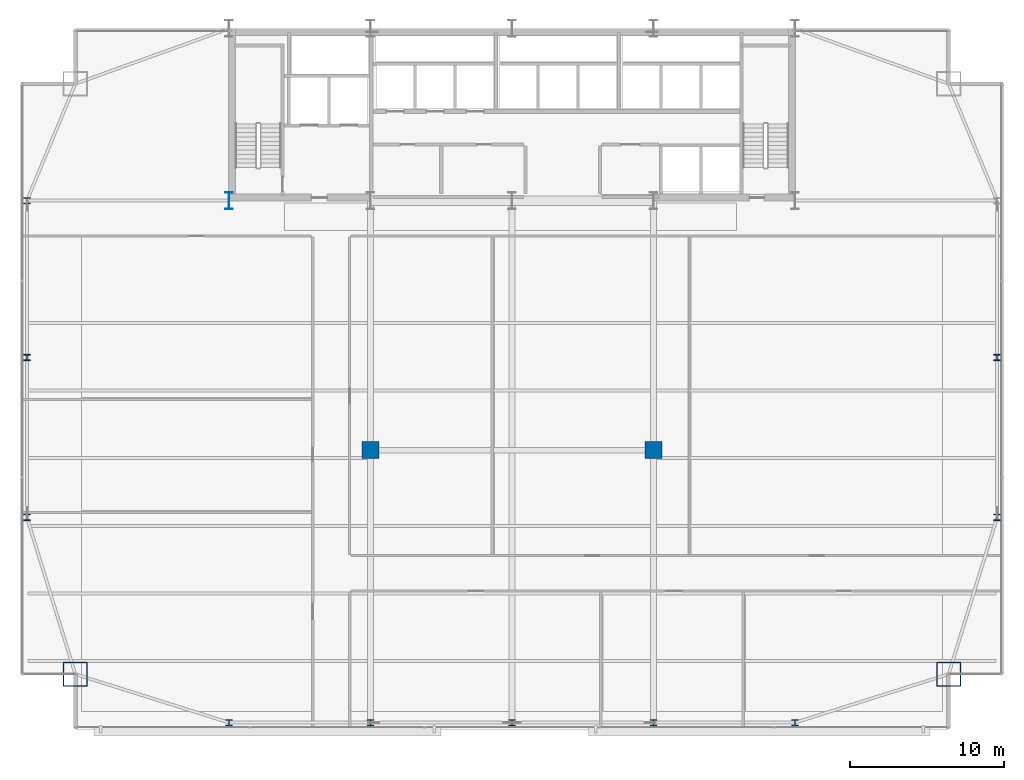
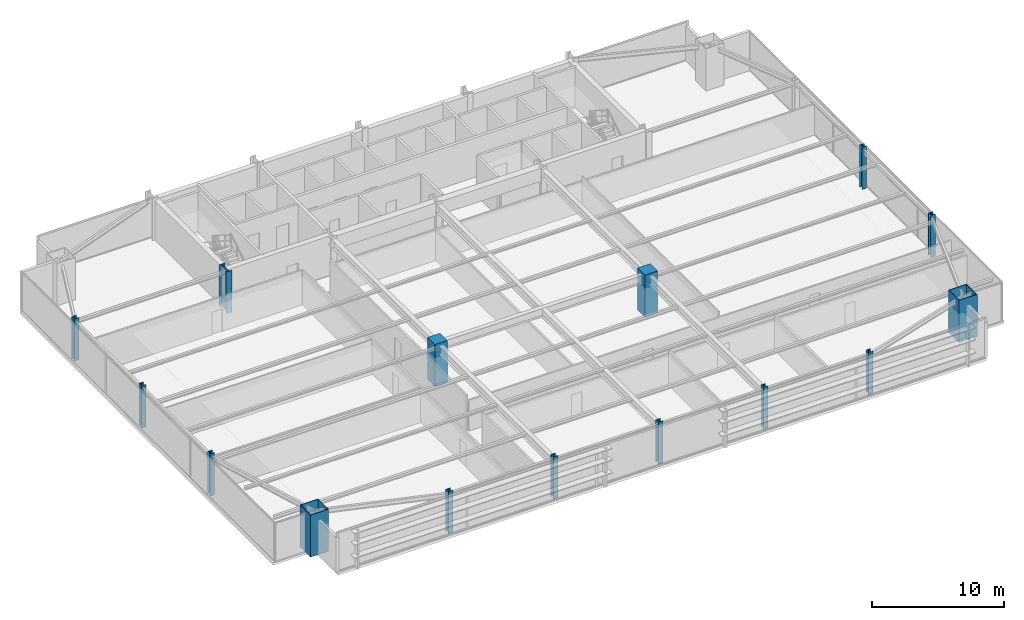
# One storey, part 1 of 32: 15 columns.
"""IFC4 building model written with IfcOpenShell, lengths in metres."""

import ifcopenshell
import ifcopenshell.guid

model = None  # the IFC model being written
_history = None  # IfcOwnerHistory: only IFC2X3 demands one
_inside = {}  # id of a spatial element -> (the spatial element, [elements in it])
_under = {}  # id of a project, library or spatial element -> (it, [spatial elements below it])
_declared = {}  # id of a project -> (the project, [libraries it declares])
_typed = {}  # id of a type object -> (the type object, [elements of that type])
_made_of = {}  # id of a material, layer set ... -> (it, [elements and type objects made of it])


def new_model(schema):
    """Start an empty IFC model of exactly this schema.

    Asked for "IFC4X3", IfcOpenShell would pick the latest addendum, in which some entities
    have other attributes; the version numbers below select the first issue.
    IFC2X3 requires an IfcOwnerHistory on every rooted entity: one is made here for all.
    """
    global model, _history
    if schema == "IFC4X3":
        model = ifcopenshell.file(schema_version=(4, 3, 0, 0))
    else:
        model = ifcopenshell.file(schema=schema)
    _inside.clear()
    _under.clear()
    _declared.clear()
    _typed.clear()
    _made_of.clear()
    _history = None
    if model.schema == "IFC2X3":
        org = make("IfcOrganization", Name="unknown")
        user = make(
            "IfcPersonAndOrganization",
            ThePerson=make("IfcPerson", FamilyName="unknown"),
            TheOrganization=org,
        )
        app = make(
            "IfcApplication",
            ApplicationDeveloper=org,
            Version="unknown",
            ApplicationFullName="unknown",
            ApplicationIdentifier="unknown",
        )
        _history = make(
            "IfcOwnerHistory",
            OwningUser=user,
            OwningApplication=app,
            ChangeAction="ADDED",
            CreationDate=0,
        )
    return model


def make(cls, **values):
    """One entity of the class cls with the attributes given. An attribute that is None is left unset."""
    return model.create_entity(
        cls, **{name: value for name, value in values.items() if value is not None}
    )


def rooted(cls, **values):
    """An entity with a GlobalId (a new one), such as an element, a storey or a relation."""
    return make(cls, GlobalId=ifcopenshell.guid.new(), OwnerHistory=_history, **values)


def si_unit(unit_type, name, prefix=None):
    """IfcSIUnit, for example si_unit("LENGTHUNIT", "METRE", prefix="MILLI")."""
    return make("IfcSIUnit", UnitType=unit_type, Prefix=prefix, Name=name)


def assignment(units):
    """IfcUnitAssignment: the units of a project."""
    return None if units is None else make("IfcUnitAssignment", Units=units)


def point(xyz):
    """IfcCartesianPoint."""
    return None if xyz is None else make("IfcCartesianPoint", Coordinates=xyz)


def direction(xyz):
    """IfcDirection."""
    return None if xyz is None else make("IfcDirection", DirectionRatios=xyz)


def frame(location, z_axis=None, x_axis=None):
    """IfcAxis2Placement3D, a coordinate frame: its origin and axes. An axis left out is left unset."""
    return make(
        "IfcAxis2Placement3D",
        Location=point(location),
        Axis=direction(z_axis),
        RefDirection=direction(x_axis),
    )


def frame_2d(location, x_axis=None):
    """IfcAxis2Placement2D, a coordinate frame in the plane: its origin and x axis."""
    return make(
        "IfcAxis2Placement2D", Location=point(location), RefDirection=direction(x_axis)
    )


def origin():
    """The frame at (0, 0, 0) with its axes left unset."""
    return frame((0.0, 0.0, 0.0))


def origin_2d():
    """The frame at (0, 0) in the plane with its x axis left unset."""
    return frame_2d((0.0, 0.0))


def place(relative_to, where):
    """IfcLocalPlacement: puts the frame where relative to a parent placement (None: the world)."""
    return make(
        "IfcLocalPlacement", PlacementRelTo=relative_to, RelativePlacement=where
    )


def context(
    kind, dimensions, precision=None, world=None, true_north=None, identifier=None
):
    """IfcGeometricRepresentationContext, for example the 3D "Model" context."""
    return make(
        "IfcGeometricRepresentationContext",
        ContextIdentifier=identifier,
        ContextType=kind,
        CoordinateSpaceDimension=dimensions,
        Precision=precision,
        WorldCoordinateSystem=world,
        TrueNorth=true_north,
    )


def subcontext(parent, identifier, kind, view, scale=None):
    """IfcGeometricRepresentationSubContext, for example "Body" below "Model"."""
    return make(
        "IfcGeometricRepresentationSubContext",
        ContextIdentifier=identifier,
        ContextType=kind,
        ParentContext=parent,
        TargetScale=scale,
        TargetView=view,
    )


def project(units=None, contexts=None):
    """IfcProject with its units and contexts."""
    return rooted(
        "IfcProject",
        Name="project",
        RepresentationContexts=contexts,
        UnitsInContext=assignment(units),
    )


def spatial(cls, under=None, at=None, **own):
    """A site, building, storey or space (cls), placed at a placement, below another one or the project."""
    s = rooted(cls, ObjectPlacement=at, **own)
    if under is not None:
        _under.setdefault(under.id(), (under, []))[1].append(s)
    return s


def profile(cls, at=None, kind="AREA", **sizes):
    """A parametric profile (cls). Its sizes go by their IFC names, for example OverallWidth=200.0."""
    return make(cls, ProfileType=kind, Position=at, **sizes)


def rectangle(**sizes):
    """IfcRectangleProfileDef."""
    return profile("IfcRectangleProfileDef", **sizes)


def hollow_rectangle(**sizes):
    """IfcRectangleHollowProfileDef."""
    return profile("IfcRectangleHollowProfileDef", **sizes)


def i_section(**sizes):
    """IfcIShapeProfileDef."""
    return profile("IfcIShapeProfileDef", **sizes)


def extrude(swept, where, along, depth):
    """IfcExtrudedAreaSolid: the profile swept, set in the frame where, extruded along a direction by depth."""
    return make(
        "IfcExtrudedAreaSolid",
        SweptArea=swept,
        Position=where,
        ExtrudedDirection=direction(along),
        Depth=depth,
    )


def shape(context_of_items, identifier, shape_type, items):
    """IfcShapeRepresentation: the items that make up one representation, for example the "Body"."""
    return make(
        "IfcShapeRepresentation",
        ContextOfItems=context_of_items,
        RepresentationIdentifier=identifier,
        RepresentationType=shape_type,
        Items=items,
    )


def source(mapping_origin, context_of_items, identifier, shape_type, items):
    """IfcRepresentationMap: a shape defined once, which mapped items show again and again."""
    return make(
        "IfcRepresentationMap",
        MappingOrigin=mapping_origin,
        MappedRepresentation=shape(context_of_items, identifier, shape_type, items),
    )


def transform(
    local_origin,
    x_axis=None,
    y_axis=None,
    z_axis=None,
    scale=None,
    scale2=None,
    scale3=None,
    uniform=True,
):
    """IfcCartesianTransformationOperator3D, or its non-uniform kind. x_axis, y_axis, z_axis: its Axis1, 2, 3."""
    if uniform:
        return make(
            "IfcCartesianTransformationOperator3D",
            Axis1=direction(x_axis),
            Axis2=direction(y_axis),
            LocalOrigin=point(local_origin),
            Scale=scale,
            Axis3=direction(z_axis),
        )
    return make(
        "IfcCartesianTransformationOperator3DnonUniform",
        Axis1=direction(x_axis),
        Axis2=direction(y_axis),
        LocalOrigin=point(local_origin),
        Scale=scale,
        Axis3=direction(z_axis),
        Scale2=scale2,
        Scale3=scale3,
    )


def mapped(mapping_source, mapping_target):
    """IfcMappedItem: shows the shape of a source again, moved by a transform."""
    return make(
        "IfcMappedItem", MappingSource=mapping_source, MappingTarget=mapping_target
    )


def material(Name=None, Category=None):
    """IfcMaterial."""
    return make("IfcMaterial", Name=Name, Category=Category)


def material_profile(
    of_material, cross_section, Name=None, Category=None, Priority=None
):
    """IfcMaterialProfile: a cross section and its material."""
    return make(
        "IfcMaterialProfile",
        Name=Name,
        Material=of_material,
        Profile=cross_section,
        Priority=Priority,
        Category=Category,
    )


def profile_set(profiles, Name=None, composite=None):
    """IfcMaterialProfileSet."""
    return make(
        "IfcMaterialProfileSet",
        Name=Name,
        MaterialProfiles=profiles,
        CompositeProfile=composite,
    )


def made_of(thing, what):
    """Note that an element or type object is made of a material, layer set ...; save() writes the relation."""
    if what is not None:
        _made_of.setdefault(what.id(), (what, []))[1].append(thing)
    return thing


def type_object(cls, material=None, **own):
    """A type object (cls), such as IfcWallType, which elements share."""
    return made_of(rooted(cls, **own), material)


def type_shapes(of_type, sources):
    """Give a type object the sources (RepresentationMaps) that its elements show as mapped items."""
    of_type.RepresentationMaps = sources


def element(
    cls,
    number,
    at=None,
    inside=None,
    cuts=None,
    type_object=None,
    material=None,
    context=None,
    identifier="Body",
    shape_type=None,
    held_by="IfcProductDefinitionShape",
    body=None,
    shapes=None,
    **own,
):
    """One element of the class cls, such as IfcWall. Its Tag is "e" and its number.

    at: its placement. inside: the storey or other place that contains it. cuts: it is an
    opening in that element (IfcRelVoidsElement). A single representation is given by context,
    identifier, shape_type and body (its items); several are given by shapes. held_by: the class
    of the entity that holds the representations. save() writes the other relations.
    """
    e = rooted(cls, Tag="e%d" % number, ObjectPlacement=at, **own)
    if body is not None:
        shapes = [shape(context, identifier, shape_type, body)]
    if shapes is not None:
        e.Representation = make(held_by, Representations=shapes)
    if inside is not None:
        _inside.setdefault(inside.id(), (inside, []))[1].append(e)
    if cuts is not None:
        rooted(
            "IfcRelVoidsElement", RelatingBuildingElement=cuts, RelatedOpeningElement=e
        )
    if type_object is not None:
        _typed.setdefault(type_object.id(), (type_object, []))[1].append(e)
    return made_of(e, material)


def aggregate(whole, parts):
    """IfcRelAggregates: a whole, such as a stair, and the parts it consists of."""
    return rooted("IfcRelAggregates", RelatingObject=whole, RelatedObjects=parts)


def save(model, path):
    """Write the relations noted so far, then the file.

    IfcRelAggregates (storeys below a building ...), IfcRelContainedInSpatialStructure (elements
    in a storey), IfcRelDefinesByType, IfcRelAssociatesMaterial and IfcRelDeclares: one each for
    every whole, place, type object, material and project.
    """
    for whole, parts in _under.values():
        aggregate(whole, parts)
    for where, things in _inside.values():
        rooted(
            "IfcRelContainedInSpatialStructure",
            RelatedElements=things,
            RelatingStructure=where,
        )
    for kind, things in _typed.values():
        rooted("IfcRelDefinesByType", RelatedObjects=things, RelatingType=kind)
    for what, things in _made_of.values():
        rooted("IfcRelAssociatesMaterial", RelatedObjects=things, RelatingMaterial=what)
    for by, libraries in _declared.values():
        rooted("IfcRelDeclares", RelatingContext=by, RelatedDefinitions=libraries)
    model.write(path)


model = new_model("IFC4")

# Units and contexts
model_context = context("Model", 3, precision=1e-05, world=origin(), true_north=direction((0.0, 1.0)))
body_context = subcontext(model_context, "Body", "Model", "MODEL_VIEW")
ifc_project = project(units=[si_unit("LENGTHUNIT", "METRE"), si_unit("AREAUNIT", "SQUARE_METRE"), si_unit("VOLUMEUNIT", "CUBIC_METRE"), si_unit("PLANEANGLEUNIT", "RADIAN"), si_unit("MASSUNIT", "GRAM", prefix="KILO")], contexts=[model_context])

# Site, building, storey
site_placement = place(None, origin())
site = spatial("IfcSite", under=ifc_project, at=site_placement, CompositionType="ELEMENT")
building_placement = place(site_placement, origin())
building = spatial("IfcBuilding", under=site, at=building_placement, Name="Varnel Quay Broadcast Tower", CompositionType="ELEMENT")
storey_placement = place(building_placement, frame((0.0, 0.0, 54.89990234375)))
storey = spatial("IfcBuildingStorey", under=building, at=storey_placement, Name="L12", CompositionType="ELEMENT", Elevation=54.89990234375)

# Columns
ifc_material_1 = material(Name="Structural Steel CSA G40.21 350WT", Category="steel")
ifc_material_profile_1 = material_profile(ifc_material_1, i_section(OverallWidth=0.5, OverallDepth=1.10009765625, WebThickness=0.01806640625, FlangeThickness=0.031982421875, FilletRadius=0.01806640625, at=origin_2d()), Name="WWF1100X418")
ifc_profile_set_1 = profile_set([ifc_material_profile_1], Name="Structural Steel CSA G40.21 350WT")
column_type_1 = type_object("IfcColumnType", Name="Col_WWF1100X418", PredefinedType="COLUMN", material=ifc_profile_set_1)
shared_shape_1 = source(origin(), body_context, "Body", "SweptSolid", [
    extrude(i_section(OverallWidth=0.5, OverallDepth=1.10009765625, WebThickness=0.01806640625, FlangeThickness=0.031982421875, FilletRadius=0.01806640625, at=origin_2d()), origin(), (0.0, 0.0, 1.0), 3.900146484375),
])
type_shapes(column_type_1, [shared_shape_1])
column_placement = place(storey_placement, frame((15.60009765625, 35.60009765625, 0.0), z_axis=(0.0, 0.0, 1.0), x_axis=(1.0, 0.0, 0.0)))
element("IfcColumn", 1, at=column_placement, inside=storey, type_object=column_type_1, Name="L12 Column CC-S1", PredefinedType="COLUMN", context=body_context, shape_type="MappedRepresentation", body=[
    mapped(shared_shape_1, transform((0.0, 0.0, 0.0), x_axis=(1.0, 0.0, 0.0), y_axis=(0.0, 1.0, 0.0), z_axis=(0.0, 0.0, 1.0), scale=1.0)),
])
ifc_material_profile_2 = material_profile(ifc_material_1, hollow_rectangle(XDim=1.60009765625, YDim=1.60009765625, WallThickness=0.06005859375, at=origin_2d()), Name="BOX1600X1600X60")
ifc_profile_set_2 = profile_set([ifc_material_profile_2], Name="Structural Steel CSA G40.21 350WT")
column_type_2 = type_object("IfcColumnType", Name="Col_BOX1600X1600X60", PredefinedType="COLUMN", material=ifc_profile_set_2)
shared_shape_2 = source(origin(), body_context, "Body", "SweptSolid", [
    extrude(hollow_rectangle(XDim=1.60009765625, YDim=1.60009765625, WallThickness=0.06005859375, at=origin_2d()), origin(), (0.0, 0.0, 1.0), 3.900146484375),
])
type_shapes(column_type_2, [shared_shape_2])
for number, where, z_axis, x_axis, name in (
    (2, (5.60009765625, 4.800048828125, 0.0), (0.0, 0.0, 1.0), (1.0, 0.0, 0.0), "L12 Column MC-SW"),
    (3, (62.39990234375, 4.800048828125, 0.0), (0.0, 0.0, 1.0), (1.0, 0.0, 0.0), "L12 Column MC-SE"),
):
    element("IfcColumn", number, at=place(storey_placement, frame(where, z_axis=z_axis, x_axis=x_axis)), inside=storey, type_object=column_type_2, Name=name, PredefinedType="COLUMN", context=body_context, shape_type="MappedRepresentation", body=[
        mapped(shared_shape_2, transform((0.0, 0.0, 0.0), x_axis=(1.0, 0.0, 0.0), y_axis=(0.0, 1.0, 0.0), z_axis=(0.0, 0.0, 1.0), scale=1.0)),
    ])
ifc_material_2 = material(Name="Structural Steel CSA G40.21 350W", Category="steel")
ifc_material_profile_3 = material_profile(ifc_material_2, i_section(OverallWidth=0.404052734375, OverallDepth=0.406982421875, WebThickness=0.027099609375, FlangeThickness=0.043701171875, FilletRadius=0.01806640625, at=origin_2d()), Name="W360X347")
ifc_profile_set_3 = profile_set([ifc_material_profile_3], Name="Structural Steel CSA G40.21 350W")
column_type_3 = type_object("IfcColumnType", Name="Col_W360X347", PredefinedType="COLUMN", material=ifc_profile_set_3)
shared_shape_3 = source(origin(), body_context, "Body", "SweptSolid", [
    extrude(i_section(OverallWidth=0.404052734375, OverallDepth=0.406982421875, WebThickness=0.027099609375, FlangeThickness=0.043701171875, FilletRadius=0.01806640625, at=origin_2d()), origin(), (0.0, 0.0, 1.0), 3.900146484375),
])
type_shapes(column_type_3, [shared_shape_3])
for number, where, z_axis, x_axis, name in (
    (4, (15.60009765625, 1.64990234375, 0.0), (0.0, 0.0, 1.0), (1.0, 0.0, 0.0), "L12 Column TC-S1"),
    (5, (24.800048828125, 1.64990234375, 0.0), (0.0, 0.0, 1.0), (1.0, 0.0, 0.0), "L12 Column TC-S2"),
    (6, (34.0, 1.64990234375, 0.0), (0.0, 0.0, 1.0), (1.0, 0.0, 0.0), "L12 Column TC-S3"),
    (7, (43.199951171875, 1.64990234375, 0.0), (0.0, 0.0, 1.0), (1.0, 0.0, 0.0), "L12 Column TC-S4"),
    (8, (52.39990234375, 1.64990234375, 0.0), (0.0, 0.0, 1.0), (1.0, 0.0, 0.0), "L12 Column TC-S5"),
    (9, (2.449951171875, 15.0, 0.0), (0.0, 0.0, 1.0), (1.0, 0.0, 0.0), "L12 Column TC-W1"),
    (10, (65.550048828125, 15.0, 0.0), (0.0, 0.0, 1.0), (1.0, 0.0, 0.0), "L12 Column TC-E1"),
    (11, (2.449951171875, 25.39990234375, 0.0), (0.0, 0.0, 1.0), (1.0, 0.0, 0.0), "L12 Column TC-W2"),
    (12, (65.550048828125, 25.39990234375, 0.0), (0.0, 0.0, 1.0), (1.0, 0.0, 0.0), "L12 Column TC-E2"),
    (13, (2.449951171875, 35.60009765625, 0.0), (0.0, 0.0, 1.0), (1.0, 0.0, 0.0), "L12 Column TC-W3"),
):
    element("IfcColumn", number, at=place(storey_placement, frame(where, z_axis=z_axis, x_axis=x_axis)), inside=storey, type_object=column_type_3, Name=name, PredefinedType="COLUMN", context=body_context, shape_type="MappedRepresentation", body=[
        mapped(shared_shape_3, transform((0.0, 0.0, 0.0), x_axis=(1.0, 0.0, 0.0), y_axis=(0.0, 1.0, 0.0), z_axis=(0.0, 0.0, 1.0), scale=1.0)),
    ])
ifc_material_3 = material(Name="Concrete CSA A23.3 C60/75", Category="concrete")
ifc_material_profile_4 = material_profile(ifc_material_3, rectangle(XDim=1.10009765625, YDim=1.10009765625, at=origin_2d()), Name="RC1100X1100")
ifc_profile_set_4 = profile_set([ifc_material_profile_4], Name="Concrete CSA A23.3 C60/75")
column_type_4 = type_object("IfcColumnType", Name="Col_RC1100X1100", PredefinedType="COLUMN", material=ifc_profile_set_4)
shared_shape_4 = source(origin(), body_context, "Body", "SweptSolid", [
    extrude(rectangle(XDim=1.10009765625, YDim=1.10009765625, at=origin_2d()), origin(), (0.0, 0.0, 1.0), 3.900146484375),
])
type_shapes(column_type_4, [shared_shape_4])
for number, where, z_axis, x_axis, name in (
    (14, (24.800048828125, 19.3701171875, 0.0), (0.0, 0.0, 1.0), (1.0, 0.0, 0.0), "L12 Column IC-01"),
    (15, (43.199951171875, 19.3701171875, 0.0), (0.0, 0.0, 1.0), (1.0, 0.0, 0.0), "L12 Column IC-02"),
):
    element("IfcColumn", number, at=place(storey_placement, frame(where, z_axis=z_axis, x_axis=x_axis)), inside=storey, type_object=column_type_4, Name=name, PredefinedType="COLUMN", context=body_context, shape_type="MappedRepresentation", body=[
        mapped(shared_shape_4, transform((0.0, 0.0, 0.0), x_axis=(1.0, 0.0, 0.0), y_axis=(0.0, 1.0, 0.0), z_axis=(0.0, 0.0, 1.0), scale=1.0)),
    ])

save(model, "model.ifc")
